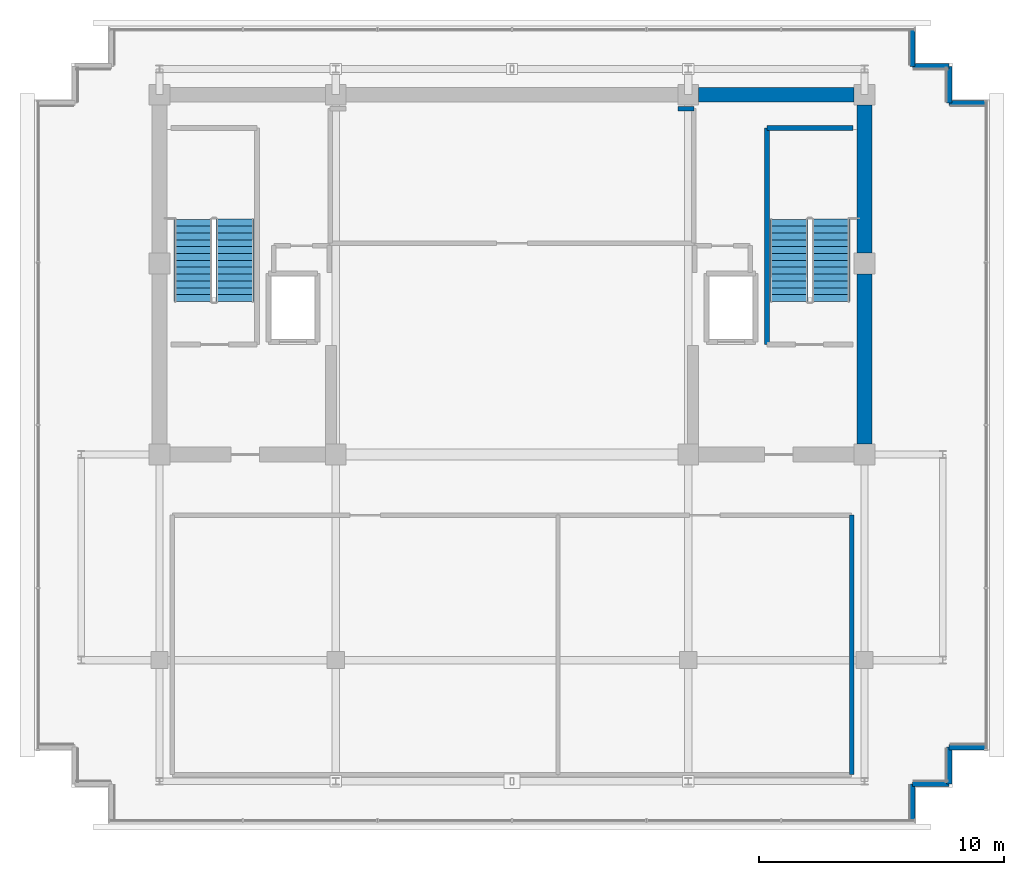
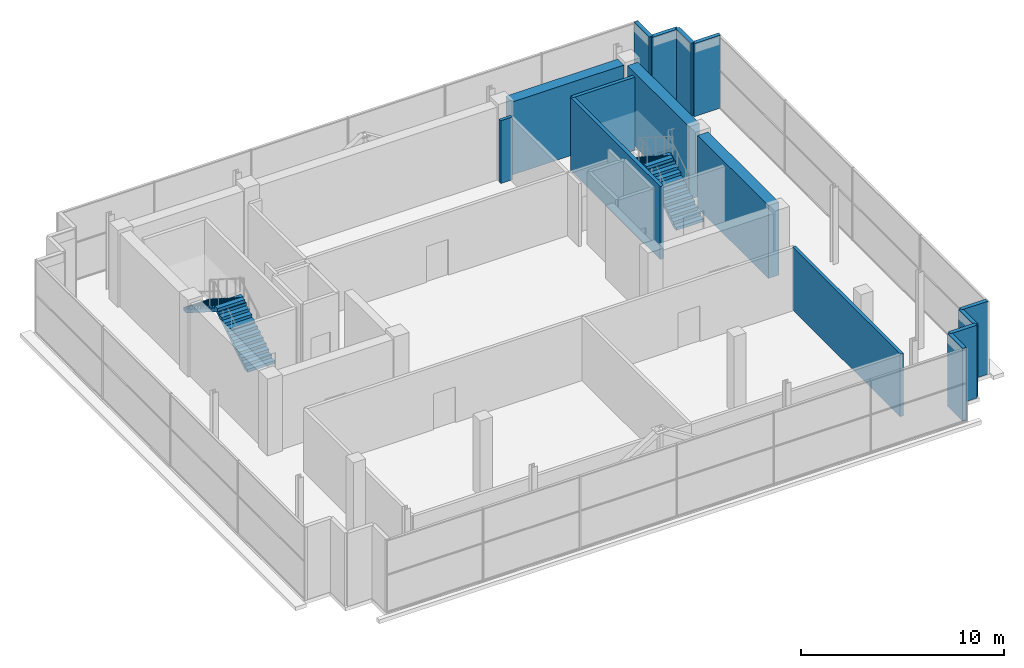
# One storey, part 24 of 26: 15 walls, 4 stair flights, 2 elements without a shape of their own.
"""IFC4 building model written with IfcOpenShell, lengths in metres."""

from ifc_helpers import new_model, si_unit, direction, frame, frame_2d, origin, place, context, subcontext, project, spatial, polyline, rectangle, outline, extrude, material, layer, layer_set, type_object, element, aggregate, save


model = new_model("IFC4")

# Units and contexts
model_context = context("Model", 3, precision=1e-05, world=origin(), true_north=direction((0.0, 1.0)))
body_context = subcontext(model_context, "Body", "Model", "MODEL_VIEW")
ifc_project = project(units=[si_unit("LENGTHUNIT", "METRE"), si_unit("AREAUNIT", "SQUARE_METRE"), si_unit("VOLUMEUNIT", "CUBIC_METRE"), si_unit("PLANEANGLEUNIT", "RADIAN"), si_unit("MASSUNIT", "GRAM", prefix="KILO")], contexts=[model_context])

# Site, building, storey
site_placement = place(None, origin())
site = spatial("IfcSite", under=ifc_project, at=site_placement, CompositionType="ELEMENT")
building_placement = place(site_placement, origin())
building = spatial("IfcBuilding", under=site, at=building_placement, Name="Zarnakvel Exchange Tower", CompositionType="ELEMENT")
storey_placement = place(building_placement, frame((0.0, 0.0, 280.800048828125)))
storey = spatial("IfcBuildingStorey", under=building, at=storey_placement, Name="Crown L79", CompositionType="ELEMENT", Elevation=280.800048828125)

# Walls
ifc_material_1 = material(Name="Concrete C50/60", Category="concrete")
ifc_layer_1 = layer(ifc_material_1, 0.60009765625)
ifc_layer_set_1 = layer_set([ifc_layer_1], Name="Concrete C50/60")
wall_type_1 = type_object("IfcWallType", Name="CW-C5", PredefinedType="SHEAR", material=ifc_layer_set_1)
wall_1_placement = place(storey_placement, frame((7.625, 13.5, 0.0), z_axis=(0.0, 0.0, 1.0), x_axis=(1.0, 0.0, 0.0)))
element("IfcWall", 1, at=wall_1_placement, inside=storey, type_object=wall_type_1, Name="Crown L79 Rear Core Shear Wall N3 (CW-C5)", PredefinedType="SHEAR", context=body_context, shape_type="SweptSolid", body=[
    extrude(rectangle(XDim=6.35009765625, YDim=0.60009765625, at=frame_2d((3.175048828125, 0.0))), origin(), (0.0, 0.0, 1.0), 4.3798828125),
])
wall_2_placement = place(storey_placement, frame((14.39990234375, -0.77490234375, 0.0), z_axis=(0.0, 0.0, 1.0), x_axis=(0.0, 1.0, 0.0)))
element("IfcWall", 2, at=wall_2_placement, inside=storey, type_object=wall_type_1, Name="Crown L79 Rear Core Shear Wall E1 (CW-C5)", PredefinedType="SHEAR", context=body_context, shape_type="SweptSolid", body=[
    extrude(rectangle(XDim=6.949951171875, YDim=0.60009765625, at=frame_2d((3.47509765625, 0.0))), origin(), (0.0, 0.0, 1.0), 4.3798828125),
])
wall_3_placement = place(storey_placement, frame((14.39990234375, 7.02490234375, 0.0), z_axis=(0.0, 0.0, 1.0), x_axis=(0.0, 1.0, 0.0)))
element("IfcWall", 3, at=wall_3_placement, inside=storey, type_object=wall_type_1, Name="Crown L79 Rear Core Shear Wall E2 (CW-C5)", PredefinedType="SHEAR", context=body_context, shape_type="SweptSolid", body=[
    extrude(rectangle(XDim=6.050048828125, YDim=0.60009765625, at=frame_2d((3.02490234375, 0.0))), origin(), (0.0, 0.0, 1.0), 4.3798828125),
])
ifc_material_2 = material(Name="Precast concrete C40/50", Category="concrete")
ifc_layer_2 = layer(ifc_material_2, 0.219970703125)
ifc_layer_set_2 = layer_set([ifc_layer_2], Name="Precast concrete C40/50")
wall_type_2 = type_object("IfcWallType", Name="EW-03", PredefinedType="SOLIDWALL", material=ifc_layer_set_2)
for number, where, z_axis, x_axis, name in (
    (4, (16.360107421875, 14.659912109375, 0.0), (0.0, 0.0, 1.0), (0.0, 1.0, 0.0), "Crown L79 Exterior Precast Spandrel Wall EW-Crown L79-C07 (EW-03)"),
    (5, (17.860107421875, 14.659912109375, 0.0), (0.0, 0.0, 1.0), (-1.0, 0.0, 0.0), "Crown L79 Exterior Precast Spandrel Wall EW-Crown L79-C08 (EW-03)"),
    (6, (17.860107421875, 13.159912109375, 0.0), (0.0, 0.0, 1.0), (0.0, 1.0, 0.0), "Crown L79 Exterior Precast Spandrel Wall EW-Crown L79-C09 (EW-03)"),
    (7, (19.360107421875, 13.159912109375, 0.0), (0.0, 0.0, 1.0), (-1.0, 0.0, 0.0), "Crown L79 Exterior Precast Spandrel Wall EW-Crown L79-C10 (EW-03)"),
    (8, (17.860107421875, -13.159912109375, 0.0), (0.0, 0.0, 1.0), (1.0, 0.0, 0.0), "Crown L79 Exterior Precast Spandrel Wall EW-Crown L79-C12 (EW-03)"),
    (9, (17.860107421875, -14.659912109375, 0.0), (0.0, 0.0, 1.0), (0.0, 1.0, 0.0), "Crown L79 Exterior Precast Spandrel Wall EW-Crown L79-C13 (EW-03)"),
    (10, (16.360107421875, -14.659912109375, 0.0), (0.0, 0.0, 1.0), (1.0, 0.0, 0.0), "Crown L79 Exterior Precast Spandrel Wall EW-Crown L79-C14 (EW-03)"),
    (11, (16.360107421875, -16.159912109375, 0.0), (0.0, 0.0, 1.0), (0.0, 1.0, 0.0), "Crown L79 Exterior Precast Spandrel Wall EW-Crown L79-C15 (EW-03)"),
):
    element("IfcWall", number, at=place(storey_placement, frame(where, z_axis=z_axis, x_axis=x_axis)), inside=storey, type_object=wall_type_2, Name=name, PredefinedType="SOLIDWALL", context=body_context, shape_type="SweptSolid", body=[
        extrude(rectangle(XDim=1.5, YDim=0.219970703125, at=frame_2d((0.75, 0.0))), origin(), (0.0, 0.0, 1.0), 4.3798828125),
    ])
ifc_material_3 = material(Name="Fire-Rated Gypsum Stud Partition", Category="gypsum")
ifc_layer_3 = layer(ifc_material_3, 0.179931640625)
ifc_layer_set_3 = layer_set([ifc_layer_3], Name="Fire-Rated Gypsum Stud Partition")
wall_type_3 = type_object("IfcWallType", Name="PT-02", PredefinedType="PARTITIONING", material=ifc_layer_set_3)
wall_4_placement = place(storey_placement, frame((6.77490234375, 12.929931640625, 0.0), z_axis=(0.0, 0.0, 1.0), x_axis=(1.0, 0.0, 0.0)))
element("IfcWall", 12, at=wall_4_placement, inside=storey, type_object=wall_type_3, Name="Crown L79 Partition Wall PWALL-Crown L79-009 (PT-02)", PredefinedType="PARTITIONING", context=body_context, shape_type="SweptSolid", body=[
    extrude(rectangle(XDim=0.655029296875, YDim=0.179931640625, at=frame_2d((0.32763671875, 0.0))), origin(), (0.0, 0.0, 1.0), 3.77001953125),
])
wall_5_placement = place(storey_placement, frame((13.8798828125, -3.679931640625, 0.0), z_axis=(0.0, 0.0, 1.0), x_axis=(0.0, -1.0, 0.0)))
element("IfcWall", 13, at=wall_5_placement, inside=storey, type_object=wall_type_3, Name="Crown L79 Partition Wall PWALL-Crown L79-024 (PT-02)", PredefinedType="PARTITIONING", context=body_context, shape_type="SweptSolid", body=[
    extrude(rectangle(XDim=10.60009765625, YDim=0.179931640625, at=frame_2d((5.300048828125, 0.0))), origin(), (0.0, 0.0, 1.0), 3.77001953125),
])
ifc_material_4 = material(Name="Concrete C40/50", Category="concrete")
ifc_layer_4 = layer(ifc_material_4, 0.199951171875)
ifc_layer_set_4 = layer_set([ifc_layer_4], Name="Concrete C40/50")
wall_type_4 = type_object("IfcWallType", Name="SW-02", PredefinedType="SOLIDWALL", material=ifc_layer_set_4)
wall_6_placement = place(storey_placement, frame((10.409912109375, 12.1298828125, 0.0), z_axis=(0.0, 0.0, 1.0), x_axis=(1.0, 0.0, 0.0)))
element("IfcWall", 14, at=wall_6_placement, inside=storey, type_object=wall_type_4, Name="Crown L79 Stairwell Core Wall PWALL-Crown L79-005 (SW-02)", PredefinedType="SOLIDWALL", context=body_context, shape_type="SweptSolid", body=[
    extrude(rectangle(XDim=3.52001953125, YDim=0.199951171875, at=frame_2d((1.760009765625, 0.0))), origin(), (0.0, 0.0, 1.0), 4.3798828125),
])
wall_7_placement = place(storey_placement, frame((10.409912109375, 3.2900390625, 0.0), z_axis=(0.0, 0.0, 1.0), x_axis=(0.0, 1.0, 0.0)))
element("IfcWall", 15, at=wall_7_placement, inside=storey, type_object=wall_type_4, Name="Crown L79 Stairwell Core Wall PWALL-Crown L79-006 (SW-02)", PredefinedType="SOLIDWALL", context=body_context, shape_type="SweptSolid", body=[
    extrude(rectangle(XDim=8.83984375, YDim=0.199951171875, at=frame_2d((4.419921875, 0.0))), origin(), (0.0, 0.0, 1.0), 4.3798828125),
])

# Stair, stair flights
stair_type = type_object("IfcStairType", Name="STR-01", PredefinedType="HALF_TURN_STAIR", material=ifc_material_4)
stair_1_placement = place(storey_placement, origin())
stair_1 = element("IfcStair", 16, at=stair_1_placement, inside=storey, type_object=stair_type, Name="Crown L79 Protected Core Exit Stair ST-01", PredefinedType="HALF_TURN_STAIR")
stair_flight_type = type_object("IfcStairFlightType", Name="FLT-01", PredefinedType="STRAIGHT", material=ifc_material_4)
stair_flight_1_placement = place(storey_placement, frame((-11.31494140625, 5.050048828125, 0.0), z_axis=(0.0, 0.0, 1.0), x_axis=(0.0, 1.0, 0.0)))
stair_flight_1 = element("IfcStairFlight", 17, at=stair_flight_1_placement, type_object=stair_flight_type, Name="ST-01 flight 1", NumberOfRisers=13, NumberOfTreads=12, PredefinedType="STRAIGHT", RiserHeight=0.176923077, TreadLength=0.28, context=body_context, shape_type="SweptSolid", body=[
    extrude(outline(polyline([(0.0, 0.0), (0.0, 0.177001953125), (0.280029296875, 0.177001953125), (0.280029296875, 0.353759765625), (0.56005859375, 0.353759765625), (0.56005859375, 0.53076171875), (0.840087890625, 0.53076171875), (0.840087890625, 0.707763671875), (1.1201171875, 0.707763671875), (1.1201171875, 0.884521484375), (1.39990234375, 0.884521484375), (1.39990234375, 1.0615234375), (1.679931640625, 1.0615234375), (1.679931640625, 1.238525390625), (1.9599609375, 1.238525390625), (1.9599609375, 1.415283203125), (2.239990234375, 1.415283203125), (2.239990234375, 1.59228515625), (2.52001953125, 1.59228515625), (2.52001953125, 1.769287109375), (2.800048828125, 1.769287109375), (2.800048828125, 1.946044921875), (3.080078125, 1.946044921875), (3.080078125, 2.123046875), (3.360107421875, 2.123046875), (3.360107421875, 2.300048828125), (3.360107421875, 1.94580078125), (0.280517578125, 0.0), (0.0, 0.0)])), frame((0.0, 0.77490234375, 0.0), z_axis=(0.0, -1.0, 0.0), x_axis=(1.0, 0.0, 0.0)), (0.0, 0.0, 1.0), 1.550048828125),
])
stair_flight_2_placement = place(storey_placement, frame((-13.02490234375, 8.409912109375, 2.300048828125), z_axis=(0.0, 0.0, 1.0), x_axis=(0.0, -1.0, 0.0)))
stair_flight_2 = element("IfcStairFlight", 18, at=stair_flight_2_placement, type_object=stair_flight_type, Name="ST-01 flight 2", NumberOfRisers=13, NumberOfTreads=12, PredefinedType="STRAIGHT", RiserHeight=0.176923077, TreadLength=0.28, context=body_context, shape_type="SweptSolid", body=[
    extrude(outline(polyline([(0.0, 0.0), (0.0, 0.177001953125), (0.280029296875, 0.177001953125), (0.280029296875, 0.353759765625), (0.56005859375, 0.353759765625), (0.56005859375, 0.53076171875), (0.840087890625, 0.53076171875), (0.840087890625, 0.707763671875), (1.1201171875, 0.707763671875), (1.1201171875, 0.884521484375), (1.39990234375, 0.884521484375), (1.39990234375, 1.0615234375), (1.679931640625, 1.0615234375), (1.679931640625, 1.238525390625), (1.9599609375, 1.238525390625), (1.9599609375, 1.415283203125), (2.239990234375, 1.415283203125), (2.239990234375, 1.59228515625), (2.52001953125, 1.59228515625), (2.52001953125, 1.769287109375), (2.800048828125, 1.769287109375), (2.800048828125, 1.946044921875), (3.080078125, 1.946044921875), (3.080078125, 2.123046875), (3.360107421875, 2.123046875), (3.360107421875, 2.300048828125), (3.360107421875, 1.94580078125), (0.280517578125, 0.0), (0.0, 0.0)])), frame((0.0, 0.77490234375, 0.0), z_axis=(0.0, -1.0, 0.0), x_axis=(1.0, 0.0, 0.0)), (0.0, 0.0, 1.0), 1.550048828125),
])
aggregate(stair_1, [stair_flight_1, stair_flight_2])

stair_2_placement = place(storey_placement, origin())
stair_2 = element("IfcStair", 19, at=stair_2_placement, inside=storey, type_object=stair_type, Name="Crown L79 Protected Core Exit Stair ST-02", PredefinedType="HALF_TURN_STAIR")
stair_flight_3_placement = place(storey_placement, frame((13.02490234375, 5.050048828125, 0.0), z_axis=(0.0, 0.0, 1.0), x_axis=(0.0, 1.0, 0.0)))
stair_flight_3 = element("IfcStairFlight", 20, at=stair_flight_3_placement, type_object=stair_flight_type, Name="ST-02 flight 1", NumberOfRisers=13, NumberOfTreads=12, PredefinedType="STRAIGHT", RiserHeight=0.176923077, TreadLength=0.28, context=body_context, shape_type="SweptSolid", body=[
    extrude(outline(polyline([(0.0, 0.0), (0.0, 0.177001953125), (0.280029296875, 0.177001953125), (0.280029296875, 0.353759765625), (0.56005859375, 0.353759765625), (0.56005859375, 0.53076171875), (0.840087890625, 0.53076171875), (0.840087890625, 0.707763671875), (1.1201171875, 0.707763671875), (1.1201171875, 0.884521484375), (1.39990234375, 0.884521484375), (1.39990234375, 1.0615234375), (1.679931640625, 1.0615234375), (1.679931640625, 1.238525390625), (1.9599609375, 1.238525390625), (1.9599609375, 1.415283203125), (2.239990234375, 1.415283203125), (2.239990234375, 1.59228515625), (2.52001953125, 1.59228515625), (2.52001953125, 1.769287109375), (2.800048828125, 1.769287109375), (2.800048828125, 1.946044921875), (3.080078125, 1.946044921875), (3.080078125, 2.123046875), (3.360107421875, 2.123046875), (3.360107421875, 2.300048828125), (3.360107421875, 1.94580078125), (0.280517578125, 0.0), (0.0, 0.0)])), frame((0.0, 0.77490234375, 0.0), z_axis=(0.0, -1.0, 0.0), x_axis=(1.0, 0.0, 0.0)), (0.0, 0.0, 1.0), 1.550048828125),
])
stair_flight_4_placement = place(storey_placement, frame((11.31494140625, 8.409912109375, 2.300048828125), z_axis=(0.0, 0.0, 1.0), x_axis=(0.0, -1.0, 0.0)))
stair_flight_4 = element("IfcStairFlight", 21, at=stair_flight_4_placement, type_object=stair_flight_type, Name="ST-02 flight 2", NumberOfRisers=13, NumberOfTreads=12, PredefinedType="STRAIGHT", RiserHeight=0.176923077, TreadLength=0.28, context=body_context, shape_type="SweptSolid", body=[
    extrude(outline(polyline([(0.0, 0.0), (0.0, 0.177001953125), (0.280029296875, 0.177001953125), (0.280029296875, 0.353759765625), (0.56005859375, 0.353759765625), (0.56005859375, 0.53076171875), (0.840087890625, 0.53076171875), (0.840087890625, 0.707763671875), (1.1201171875, 0.707763671875), (1.1201171875, 0.884521484375), (1.39990234375, 0.884521484375), (1.39990234375, 1.0615234375), (1.679931640625, 1.0615234375), (1.679931640625, 1.238525390625), (1.9599609375, 1.238525390625), (1.9599609375, 1.415283203125), (2.239990234375, 1.415283203125), (2.239990234375, 1.59228515625), (2.52001953125, 1.59228515625), (2.52001953125, 1.769287109375), (2.800048828125, 1.769287109375), (2.800048828125, 1.946044921875), (3.080078125, 1.946044921875), (3.080078125, 2.123046875), (3.360107421875, 2.123046875), (3.360107421875, 2.300048828125), (3.360107421875, 1.94580078125), (0.280517578125, 0.0), (0.0, 0.0)])), frame((0.0, 0.77490234375, 0.0), z_axis=(0.0, -1.0, 0.0), x_axis=(1.0, 0.0, 0.0)), (0.0, 0.0, 1.0), 1.550048828125),
])
aggregate(stair_2, [stair_flight_3, stair_flight_4])

save(model, "model.ifc")
